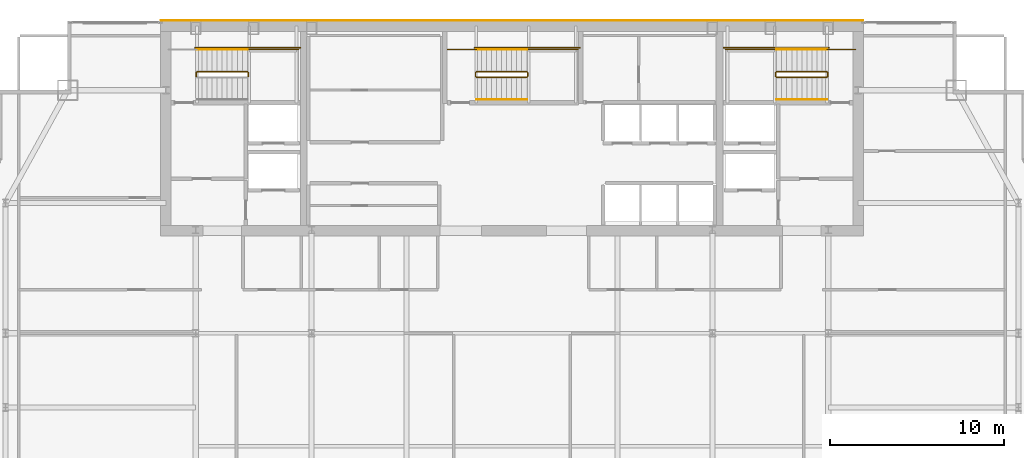
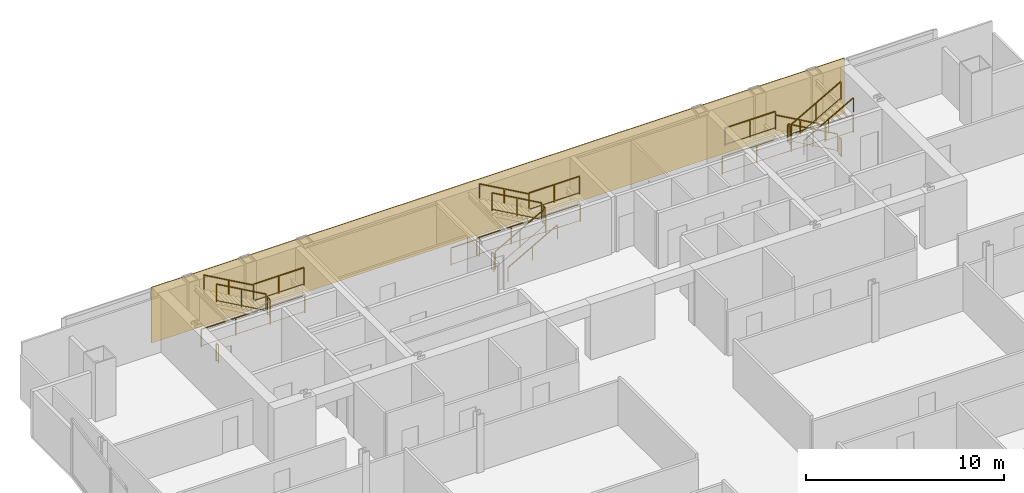
# One storey, part 32 of 32: 24 railings, 1 covering.
"""IFC4 building model written with IfcOpenShell, lengths in metres."""

import ifcopenshell
import ifcopenshell.guid

model = None  # the IFC model being written
_history = None  # IfcOwnerHistory: only IFC2X3 demands one
_inside = {}  # id of a spatial element -> (the spatial element, [elements in it])
_under = {}  # id of a project, library or spatial element -> (it, [spatial elements below it])
_declared = {}  # id of a project -> (the project, [libraries it declares])
_typed = {}  # id of a type object -> (the type object, [elements of that type])
_made_of = {}  # id of a material, layer set ... -> (it, [elements and type objects made of it])


def new_model(schema):
    """Start an empty IFC model of exactly this schema.

    Asked for "IFC4X3", IfcOpenShell would pick the latest addendum, in which some entities
    have other attributes; the version numbers below select the first issue.
    IFC2X3 requires an IfcOwnerHistory on every rooted entity: one is made here for all.
    """
    global model, _history
    if schema == "IFC4X3":
        model = ifcopenshell.file(schema_version=(4, 3, 0, 0))
    else:
        model = ifcopenshell.file(schema=schema)
    _inside.clear()
    _under.clear()
    _declared.clear()
    _typed.clear()
    _made_of.clear()
    _history = None
    if model.schema == "IFC2X3":
        org = make("IfcOrganization", Name="unknown")
        user = make(
            "IfcPersonAndOrganization",
            ThePerson=make("IfcPerson", FamilyName="unknown"),
            TheOrganization=org,
        )
        app = make(
            "IfcApplication",
            ApplicationDeveloper=org,
            Version="unknown",
            ApplicationFullName="unknown",
            ApplicationIdentifier="unknown",
        )
        _history = make(
            "IfcOwnerHistory",
            OwningUser=user,
            OwningApplication=app,
            ChangeAction="ADDED",
            CreationDate=0,
        )
    return model


def make(cls, **values):
    """One entity of the class cls with the attributes given. An attribute that is None is left unset."""
    return model.create_entity(
        cls, **{name: value for name, value in values.items() if value is not None}
    )


def rooted(cls, **values):
    """An entity with a GlobalId (a new one), such as an element, a storey or a relation."""
    return make(cls, GlobalId=ifcopenshell.guid.new(), OwnerHistory=_history, **values)


def si_unit(unit_type, name, prefix=None):
    """IfcSIUnit, for example si_unit("LENGTHUNIT", "METRE", prefix="MILLI")."""
    return make("IfcSIUnit", UnitType=unit_type, Prefix=prefix, Name=name)


def assignment(units):
    """IfcUnitAssignment: the units of a project."""
    return None if units is None else make("IfcUnitAssignment", Units=units)


def point(xyz):
    """IfcCartesianPoint."""
    return None if xyz is None else make("IfcCartesianPoint", Coordinates=xyz)


def direction(xyz):
    """IfcDirection."""
    return None if xyz is None else make("IfcDirection", DirectionRatios=xyz)


def frame(location, z_axis=None, x_axis=None):
    """IfcAxis2Placement3D, a coordinate frame: its origin and axes. An axis left out is left unset."""
    return make(
        "IfcAxis2Placement3D",
        Location=point(location),
        Axis=direction(z_axis),
        RefDirection=direction(x_axis),
    )


def frame_2d(location, x_axis=None):
    """IfcAxis2Placement2D, a coordinate frame in the plane: its origin and x axis."""
    return make(
        "IfcAxis2Placement2D", Location=point(location), RefDirection=direction(x_axis)
    )


def origin():
    """The frame at (0, 0, 0) with its axes left unset."""
    return frame((0.0, 0.0, 0.0))


def origin_2d():
    """The frame at (0, 0) in the plane with its x axis left unset."""
    return frame_2d((0.0, 0.0))


def place(relative_to, where):
    """IfcLocalPlacement: puts the frame where relative to a parent placement (None: the world)."""
    return make(
        "IfcLocalPlacement", PlacementRelTo=relative_to, RelativePlacement=where
    )


def context(
    kind, dimensions, precision=None, world=None, true_north=None, identifier=None
):
    """IfcGeometricRepresentationContext, for example the 3D "Model" context."""
    return make(
        "IfcGeometricRepresentationContext",
        ContextIdentifier=identifier,
        ContextType=kind,
        CoordinateSpaceDimension=dimensions,
        Precision=precision,
        WorldCoordinateSystem=world,
        TrueNorth=true_north,
    )


def subcontext(parent, identifier, kind, view, scale=None):
    """IfcGeometricRepresentationSubContext, for example "Body" below "Model"."""
    return make(
        "IfcGeometricRepresentationSubContext",
        ContextIdentifier=identifier,
        ContextType=kind,
        ParentContext=parent,
        TargetScale=scale,
        TargetView=view,
    )


def project(units=None, contexts=None):
    """IfcProject with its units and contexts."""
    return rooted(
        "IfcProject",
        Name="project",
        RepresentationContexts=contexts,
        UnitsInContext=assignment(units),
    )


def spatial(cls, under=None, at=None, **own):
    """A site, building, storey or space (cls), placed at a placement, below another one or the project."""
    s = rooted(cls, ObjectPlacement=at, **own)
    if under is not None:
        _under.setdefault(under.id(), (under, []))[1].append(s)
    return s


def polyline(points):
    """IfcPolyline through the points."""
    return make("IfcPolyline", Points=[point(p) for p in points])


def profile(cls, at=None, kind="AREA", **sizes):
    """A parametric profile (cls). Its sizes go by their IFC names, for example OverallWidth=200.0."""
    return make(cls, ProfileType=kind, Position=at, **sizes)


def rectangle(**sizes):
    """IfcRectangleProfileDef."""
    return profile("IfcRectangleProfileDef", **sizes)


def outline(outer, holes=None, kind="AREA"):
    """IfcArbitraryClosedProfileDef: a profile drawn as a closed curve; with holes, ...WithVoids."""
    if holes is None:
        return make("IfcArbitraryClosedProfileDef", ProfileType=kind, OuterCurve=outer)
    return make(
        "IfcArbitraryProfileDefWithVoids",
        ProfileType=kind,
        OuterCurve=outer,
        InnerCurves=holes,
    )


def extrude(swept, where, along, depth):
    """IfcExtrudedAreaSolid: the profile swept, set in the frame where, extruded along a direction by depth."""
    return make(
        "IfcExtrudedAreaSolid",
        SweptArea=swept,
        Position=where,
        ExtrudedDirection=direction(along),
        Depth=depth,
    )


def shape(context_of_items, identifier, shape_type, items):
    """IfcShapeRepresentation: the items that make up one representation, for example the "Body"."""
    return make(
        "IfcShapeRepresentation",
        ContextOfItems=context_of_items,
        RepresentationIdentifier=identifier,
        RepresentationType=shape_type,
        Items=items,
    )


def material(Name=None, Category=None):
    """IfcMaterial."""
    return make("IfcMaterial", Name=Name, Category=Category)


def layer(
    of_material, thickness, ventilated=None, Name=None, Category=None, Priority=None
):
    """IfcMaterialLayer: one layer of a wall or slab, of a material (None: an air gap)."""
    return make(
        "IfcMaterialLayer",
        Material=of_material,
        LayerThickness=thickness,
        IsVentilated=ventilated,
        Name=Name,
        Category=Category,
        Priority=Priority,
    )


def layer_set(layers, Name=None):
    """IfcMaterialLayerSet."""
    return make("IfcMaterialLayerSet", MaterialLayers=layers, LayerSetName=Name)


def made_of(thing, what):
    """Note that an element or type object is made of a material, layer set ...; save() writes the relation."""
    if what is not None:
        _made_of.setdefault(what.id(), (what, []))[1].append(thing)
    return thing


def type_object(cls, material=None, **own):
    """A type object (cls), such as IfcWallType, which elements share."""
    return made_of(rooted(cls, **own), material)


def element(
    cls,
    number,
    at=None,
    inside=None,
    cuts=None,
    type_object=None,
    material=None,
    context=None,
    identifier="Body",
    shape_type=None,
    held_by="IfcProductDefinitionShape",
    body=None,
    shapes=None,
    **own,
):
    """One element of the class cls, such as IfcWall. Its Tag is "e" and its number.

    at: its placement. inside: the storey or other place that contains it. cuts: it is an
    opening in that element (IfcRelVoidsElement). A single representation is given by context,
    identifier, shape_type and body (its items); several are given by shapes. held_by: the class
    of the entity that holds the representations. save() writes the other relations.
    """
    e = rooted(cls, Tag="e%d" % number, ObjectPlacement=at, **own)
    if body is not None:
        shapes = [shape(context, identifier, shape_type, body)]
    if shapes is not None:
        e.Representation = make(held_by, Representations=shapes)
    if inside is not None:
        _inside.setdefault(inside.id(), (inside, []))[1].append(e)
    if cuts is not None:
        rooted(
            "IfcRelVoidsElement", RelatingBuildingElement=cuts, RelatedOpeningElement=e
        )
    if type_object is not None:
        _typed.setdefault(type_object.id(), (type_object, []))[1].append(e)
    return made_of(e, material)


def aggregate(whole, parts):
    """IfcRelAggregates: a whole, such as a stair, and the parts it consists of."""
    return rooted("IfcRelAggregates", RelatingObject=whole, RelatedObjects=parts)


def save(model, path):
    """Write the relations noted so far, then the file.

    IfcRelAggregates (storeys below a building ...), IfcRelContainedInSpatialStructure (elements
    in a storey), IfcRelDefinesByType, IfcRelAssociatesMaterial and IfcRelDeclares: one each for
    every whole, place, type object, material and project.
    """
    for whole, parts in _under.values():
        aggregate(whole, parts)
    for where, things in _inside.values():
        rooted(
            "IfcRelContainedInSpatialStructure",
            RelatedElements=things,
            RelatingStructure=where,
        )
    for kind, things in _typed.values():
        rooted("IfcRelDefinesByType", RelatedObjects=things, RelatingType=kind)
    for what, things in _made_of.values():
        rooted("IfcRelAssociatesMaterial", RelatedObjects=things, RelatingMaterial=what)
    for by, libraries in _declared.values():
        rooted("IfcRelDeclares", RelatingContext=by, RelatedDefinitions=libraries)
    model.write(path)


model = new_model("IFC4")

# Units and contexts
model_context = context("Model", 3, precision=1e-05, world=origin(), true_north=direction((0.0, 1.0)))
body_context = subcontext(model_context, "Body", "Model", "MODEL_VIEW")
ifc_project = project(units=[si_unit("LENGTHUNIT", "METRE"), si_unit("AREAUNIT", "SQUARE_METRE"), si_unit("VOLUMEUNIT", "CUBIC_METRE"), si_unit("PLANEANGLEUNIT", "RADIAN"), si_unit("MASSUNIT", "GRAM", prefix="KILO")], contexts=[model_context])

# Site, building, storey
site_placement = place(None, origin())
site = spatial("IfcSite", under=ifc_project, at=site_placement, CompositionType="ELEMENT")
building_placement = place(site_placement, origin())
building = spatial("IfcBuilding", under=site, at=building_placement, Name="Khoronbel Lancet Exchange", CompositionType="ELEMENT")
storey_placement = place(building_placement, frame((0.0, 0.0, 192.199951171875)))
storey = spatial("IfcBuildingStorey", under=building, at=storey_placement, Name="L48", CompositionType="ELEMENT", Elevation=192.199951171875)

# Covering
ifc_material_1 = material(Name="Honed Egyptian Limestone & Bronze Rainscreen", Category="masonry")
ifc_layer = layer(ifc_material_1, 0.050048828125, Name="Honed Egyptian Limestone & Bronze Rainscreen")
ifc_layer_set = layer_set([ifc_layer], Name="Honed Egyptian Limestone & Bronze Rainscreen")
covering_type = type_object("IfcCoveringType", Name="COV-CLAD1", PredefinedType="CLADDING", material=ifc_layer_set)
covering_placement = place(storey_placement, origin())
element("IfcCovering", 1, at=covering_placement, inside=storey, type_object=covering_type, Name="Level L48 north rear-core stone and bronze rainscreen cladding", PredefinedType="CLADDING", context=body_context, shape_type="SweptSolid", body=[
    extrude(outline(polyline([(16.199951171875, 53.699951171875), (56.699951171875, 53.699951171875), (56.699951171875, 53.75), (16.199951171875, 53.75), (16.199951171875, 53.699951171875)])), origin(), (0.0, 0.0, 1.0), 3.43994140625),
])

# Railings
ifc_material_2 = material(Name="Painted Steel Balustrade", Category="steel")
railing_type_1 = type_object("IfcRailingType", Name="RL-STG110", PredefinedType="GUARDRAIL", material=ifc_material_2)
railing_1_placement = place(storey_placement, frame((21.25, 50.5, 1.800048828125)))
element("IfcRailing", 2, at=railing_1_placement, inside=storey, type_object=railing_type_1, Name="L48 ST1 stair guard 2", PredefinedType="GUARDRAIL", context=body_context, shape_type="SweptSolid", body=[
    extrude(rectangle(XDim=0.048095703125, YDim=0.048095703125, at=origin_2d()), frame((0.0, 0.0, 1.09619140625), z_axis=(0.0, 1.0, 0.0), x_axis=(-1.0, 0.0, 0.0)), (0.0, 0.0, 1.0), 0.219970703125),
    extrude(rectangle(XDim=0.02392578125, YDim=0.02392578125, at=origin_2d()), frame((0.0, 0.0, 0.080078125), z_axis=(0.0, 1.0, 0.0), x_axis=(-1.0, 0.0, 0.0)), (0.0, 0.0, 1.0), 0.219970703125),
    extrude(rectangle(XDim=0.0419921875, YDim=0.0419921875, at=origin_2d()), origin(), (0.0, 0.0, 1.0), 1.072021484375),
    extrude(rectangle(XDim=0.0419921875, YDim=0.0419921875, at=origin_2d()), frame((0.0, 0.219970703125, 0.0)), (0.0, 0.0, 1.0), 1.072021484375),
])
railing_2_placement = place(storey_placement, frame((21.199951171875, 52.050048828125, 1.800048828125)))
element("IfcRailing", 3, at=railing_2_placement, inside=storey, type_object=railing_type_1, Name="L48 ST1 stair guard 3", PredefinedType="GUARDRAIL", context=body_context, shape_type="SweptSolid", body=[
    extrude(rectangle(XDim=0.048095703125, YDim=0.048095703125, at=origin_2d()), frame((0.0, 0.0, 1.09619140625), z_axis=(1.0, 0.0, 0.0), x_axis=(0.0, 1.0, 0.0)), (0.0, 0.0, 1.0), 2.949951171875),
    extrude(rectangle(XDim=0.02392578125, YDim=0.02392578125, at=origin_2d()), frame((0.0, 0.0, 0.080078125), z_axis=(1.0, 0.0, 0.0), x_axis=(0.0, 1.0, 0.0)), (0.0, 0.0, 1.0), 2.949951171875),
    extrude(rectangle(XDim=0.0419921875, YDim=0.0419921875, at=origin_2d()), origin(), (0.0, 0.0, 1.0), 1.072021484375),
    extrude(rectangle(XDim=0.0419921875, YDim=0.0419921875, at=origin_2d()), frame((1.47509765625, 0.0, 0.0)), (0.0, 0.0, 1.0), 1.072021484375),
    extrude(rectangle(XDim=0.0419921875, YDim=0.0419921875, at=origin_2d()), frame((2.949951171875, 0.0, 0.0)), (0.0, 0.0, 1.0), 1.072021484375),
])
railing_3_placement = place(storey_placement, frame((21.199951171875, 50.77001953125, 1.963623046875)))
element("IfcRailing", 4, at=railing_3_placement, inside=storey, type_object=railing_type_1, Name="L48 ST1 stair guard 4", PredefinedType="GUARDRAIL", context=body_context, shape_type="SweptSolid", body=[
    extrude(rectangle(XDim=0.048095703125, YDim=0.048095703125, at=origin_2d()), frame((0.0, 0.0, 1.09619140625), z_axis=(-0.870897200241, 0.0, 0.491465224214), x_axis=(0.0, -1.0, 0.0)), (0.0, 0.0, 1.0), 3.329833984375),
    extrude(rectangle(XDim=0.02392578125, YDim=0.02392578125, at=origin_2d()), frame((0.0, 0.0, 0.080078125), z_axis=(-0.870897200241, 0.0, 0.491465224214), x_axis=(0.0, -1.0, 0.0)), (0.0, 0.0, 1.0), 3.329833984375),
    extrude(rectangle(XDim=0.0419921875, YDim=0.0419921875, at=origin_2d()), origin(), (0.0, 0.0, 1.0), 1.072021484375),
    extrude(rectangle(XDim=0.0419921875, YDim=0.0419921875, at=origin_2d()), frame((-1.449951171875, 0.0, 0.818359375)), (0.0, 0.0, 1.0), 1.072021484375),
    extrude(rectangle(XDim=0.0419921875, YDim=0.0419921875, at=origin_2d()), frame((-2.89990234375, 0.0, 1.636474609375)), (0.0, 0.0, 1.0), 1.072021484375),
])
railing_4_placement = place(storey_placement, frame((18.25, 50.5, 0.0)))
element("IfcRailing", 5, at=railing_4_placement, inside=storey, type_object=railing_type_1, Name="L48 ST1 stair guard 5", PredefinedType="GUARDRAIL", context=body_context, shape_type="SweptSolid", body=[
    extrude(rectangle(XDim=0.048095703125, YDim=0.048095703125, at=origin_2d()), frame((0.0, 0.0, 1.09619140625), z_axis=(0.0, 1.0, 0.0), x_axis=(-1.0, 0.0, 0.0)), (0.0, 0.0, 1.0), 0.219970703125),
    extrude(rectangle(XDim=0.02392578125, YDim=0.02392578125, at=origin_2d()), frame((0.0, 0.0, 0.080078125), z_axis=(0.0, 1.0, 0.0), x_axis=(-1.0, 0.0, 0.0)), (0.0, 0.0, 1.0), 0.219970703125),
    extrude(rectangle(XDim=0.0419921875, YDim=0.0419921875, at=origin_2d()), origin(), (0.0, 0.0, 1.0), 1.072021484375),
    extrude(rectangle(XDim=0.0419921875, YDim=0.0419921875, at=origin_2d()), frame((0.0, 0.219970703125, 0.0)), (0.0, 0.0, 1.0), 1.072021484375),
])
railing_5_placement = place(storey_placement, frame((18.199951171875, 52.14990234375, 0.0)))
element("IfcRailing", 6, at=railing_5_placement, inside=storey, type_object=railing_type_1, Name="L48 ST1 stair guard 7", PredefinedType="GUARDRAIL", context=body_context, shape_type="SweptSolid", body=[
    extrude(rectangle(XDim=0.048095703125, YDim=0.048095703125, at=origin_2d()), frame((0.0, 0.0, 1.09619140625), z_axis=(1.0, 0.0, 0.0), x_axis=(0.0, 1.0, 0.0)), (0.0, 0.0, 1.0), 6.050048828125),
    extrude(rectangle(XDim=0.02392578125, YDim=0.02392578125, at=origin_2d()), frame((0.0, 0.0, 0.080078125), z_axis=(1.0, 0.0, 0.0), x_axis=(0.0, 1.0, 0.0)), (0.0, 0.0, 1.0), 6.050048828125),
    extrude(rectangle(XDim=0.0419921875, YDim=0.0419921875, at=origin_2d()), origin(), (0.0, 0.0, 1.0), 1.072021484375),
    extrude(rectangle(XDim=0.0419921875, YDim=0.0419921875, at=origin_2d()), frame((2.0166015625, 0.0, 0.0)), (0.0, 0.0, 1.0), 1.072021484375),
    extrude(rectangle(XDim=0.0419921875, YDim=0.0419921875, at=origin_2d()), frame((4.033447265625, 0.0, 0.0)), (0.0, 0.0, 1.0), 1.072021484375),
    extrude(rectangle(XDim=0.0419921875, YDim=0.0419921875, at=origin_2d()), frame((6.050048828125, 0.0, 0.0)), (0.0, 0.0, 1.0), 1.072021484375),
])
railing_6_placement = place(storey_placement, frame((54.60009765625, 50.77001953125, 0.16357421875)))
element("IfcRailing", 7, at=railing_6_placement, inside=storey, type_object=railing_type_1, Name="L48 ST2 stair guard 1", PredefinedType="GUARDRAIL", context=body_context, shape_type="SweptSolid", body=[
    extrude(rectangle(XDim=0.048095703125, YDim=0.048095703125, at=origin_2d()), frame((0.0, 0.0, 1.09619140625), z_axis=(-0.870914908162, 0.0, 0.491433843708), x_axis=(0.0, -1.0, 0.0)), (0.0, 0.0, 1.0), 3.330078125),
    extrude(rectangle(XDim=0.02392578125, YDim=0.02392578125, at=origin_2d()), frame((0.0, 0.0, 0.080078125), z_axis=(-0.870914908162, 0.0, 0.491433843708), x_axis=(0.0, -1.0, 0.0)), (0.0, 0.0, 1.0), 3.330078125),
    extrude(rectangle(XDim=0.0419921875, YDim=0.0419921875, at=origin_2d()), origin(), (0.0, 0.0, 1.0), 1.072021484375),
    extrude(rectangle(XDim=0.0419921875, YDim=0.0419921875, at=origin_2d()), frame((-1.4501953125, 0.0, 0.818359375)), (0.0, 0.0, 1.0), 1.072021484375),
    extrude(rectangle(XDim=0.0419921875, YDim=0.0419921875, at=origin_2d()), frame((-2.900146484375, 0.0, 1.636474609375)), (0.0, 0.0, 1.0), 1.072021484375),
])
railing_7_placement = place(storey_placement, frame((51.64990234375, 50.719970703125, 1.800048828125)))
element("IfcRailing", 8, at=railing_7_placement, inside=storey, type_object=railing_type_1, Name="L48 ST2 stair guard 2", PredefinedType="GUARDRAIL", context=body_context, shape_type="SweptSolid", body=[
    extrude(rectangle(XDim=0.048095703125, YDim=0.048095703125, at=origin_2d()), frame((0.0, 0.0, 1.09619140625), z_axis=(0.0, -1.0, 0.0), x_axis=(1.0, 0.0, 0.0)), (0.0, 0.0, 1.0), 0.219970703125),
    extrude(rectangle(XDim=0.02392578125, YDim=0.02392578125, at=origin_2d()), frame((0.0, 0.0, 0.080078125), z_axis=(0.0, -1.0, 0.0), x_axis=(1.0, 0.0, 0.0)), (0.0, 0.0, 1.0), 0.219970703125),
    extrude(rectangle(XDim=0.0419921875, YDim=0.0419921875, at=origin_2d()), origin(), (0.0, 0.0, 1.0), 1.072021484375),
    extrude(rectangle(XDim=0.0419921875, YDim=0.0419921875, at=origin_2d()), frame((0.0, -0.219970703125, 0.0)), (0.0, 0.0, 1.0), 1.072021484375),
])
railing_8_placement = place(storey_placement, frame((51.699951171875, 52.050048828125, 1.800048828125)))
element("IfcRailing", 9, at=railing_8_placement, inside=storey, type_object=railing_type_1, Name="L48 ST2 stair guard 3", PredefinedType="GUARDRAIL", context=body_context, shape_type="SweptSolid", body=[
    extrude(rectangle(XDim=0.048095703125, YDim=0.048095703125, at=origin_2d()), frame((0.0, 0.0, 1.09619140625), z_axis=(-1.0, 0.0, 0.0), x_axis=(0.0, -1.0, 0.0)), (0.0, 0.0, 1.0), 2.949951171875),
    extrude(rectangle(XDim=0.02392578125, YDim=0.02392578125, at=origin_2d()), frame((0.0, 0.0, 0.080078125), z_axis=(-1.0, 0.0, 0.0), x_axis=(0.0, -1.0, 0.0)), (0.0, 0.0, 1.0), 2.949951171875),
    extrude(rectangle(XDim=0.0419921875, YDim=0.0419921875, at=origin_2d()), origin(), (0.0, 0.0, 1.0), 1.072021484375),
    extrude(rectangle(XDim=0.0419921875, YDim=0.0419921875, at=origin_2d()), frame((-1.47509765625, 0.0, 0.0)), (0.0, 0.0, 1.0), 1.072021484375),
    extrude(rectangle(XDim=0.0419921875, YDim=0.0419921875, at=origin_2d()), frame((-2.949951171875, 0.0, 0.0)), (0.0, 0.0, 1.0), 1.072021484375),
])
railing_9_placement = place(storey_placement, frame((51.699951171875, 50.449951171875, 1.963623046875)))
element("IfcRailing", 10, at=railing_9_placement, inside=storey, type_object=railing_type_1, Name="L48 ST2 stair guard 4", PredefinedType="GUARDRAIL", context=body_context, shape_type="SweptSolid", body=[
    extrude(rectangle(XDim=0.048095703125, YDim=0.048095703125, at=origin_2d()), frame((0.0, 0.0, 1.09619140625), z_axis=(0.870914908162, 0.0, 0.491433843708), x_axis=(0.0, 1.0, 0.0)), (0.0, 0.0, 1.0), 3.330078125),
    extrude(rectangle(XDim=0.02392578125, YDim=0.02392578125, at=origin_2d()), frame((0.0, 0.0, 0.080078125), z_axis=(0.870914908162, 0.0, 0.491433843708), x_axis=(0.0, 1.0, 0.0)), (0.0, 0.0, 1.0), 3.330078125),
    extrude(rectangle(XDim=0.0419921875, YDim=0.0419921875, at=origin_2d()), origin(), (0.0, 0.0, 1.0), 1.072021484375),
    extrude(rectangle(XDim=0.0419921875, YDim=0.0419921875, at=origin_2d()), frame((1.4501953125, 0.0, 0.818359375)), (0.0, 0.0, 1.0), 1.072021484375),
    extrude(rectangle(XDim=0.0419921875, YDim=0.0419921875, at=origin_2d()), frame((2.900146484375, 0.0, 1.636474609375)), (0.0, 0.0, 1.0), 1.072021484375),
])
railing_10_placement = place(storey_placement, frame((54.64990234375, 50.719970703125, 0.0)))
element("IfcRailing", 11, at=railing_10_placement, inside=storey, type_object=railing_type_1, Name="L48 ST2 stair guard 5", PredefinedType="GUARDRAIL", context=body_context, shape_type="SweptSolid", body=[
    extrude(rectangle(XDim=0.048095703125, YDim=0.048095703125, at=origin_2d()), frame((0.0, 0.0, 1.09619140625), z_axis=(0.0, -1.0, 0.0), x_axis=(1.0, 0.0, 0.0)), (0.0, 0.0, 1.0), 0.219970703125),
    extrude(rectangle(XDim=0.02392578125, YDim=0.02392578125, at=origin_2d()), frame((0.0, 0.0, 0.080078125), z_axis=(0.0, -1.0, 0.0), x_axis=(1.0, 0.0, 0.0)), (0.0, 0.0, 1.0), 0.219970703125),
    extrude(rectangle(XDim=0.0419921875, YDim=0.0419921875, at=origin_2d()), origin(), (0.0, 0.0, 1.0), 1.072021484375),
    extrude(rectangle(XDim=0.0419921875, YDim=0.0419921875, at=origin_2d()), frame((0.0, -0.219970703125, 0.0)), (0.0, 0.0, 1.0), 1.072021484375),
])
railing_11_placement = place(storey_placement, frame((56.25, 52.050048828125, 0.0)))
element("IfcRailing", 12, at=railing_11_placement, inside=storey, type_object=railing_type_1, Name="L48 ST2 stair guard 6", PredefinedType="GUARDRAIL", context=body_context, shape_type="SweptSolid", body=[
    extrude(rectangle(XDim=0.048095703125, YDim=0.048095703125, at=origin_2d()), frame((0.0, 0.0, 1.09619140625), z_axis=(-1.0, 0.0, 0.0), x_axis=(0.0, -1.0, 0.0)), (0.0, 0.0, 1.0), 1.64990234375),
    extrude(rectangle(XDim=0.02392578125, YDim=0.02392578125, at=origin_2d()), frame((0.0, 0.0, 0.080078125), z_axis=(-1.0, 0.0, 0.0), x_axis=(0.0, -1.0, 0.0)), (0.0, 0.0, 1.0), 1.64990234375),
    extrude(rectangle(XDim=0.0419921875, YDim=0.0419921875, at=origin_2d()), origin(), (0.0, 0.0, 1.0), 1.072021484375),
    extrude(rectangle(XDim=0.0419921875, YDim=0.0419921875, at=origin_2d()), frame((-1.64990234375, 0.0, 0.0)), (0.0, 0.0, 1.0), 1.072021484375),
])
railing_12_placement = place(storey_placement, frame((54.699951171875, 52.14990234375, 0.0)))
element("IfcRailing", 13, at=railing_12_placement, inside=storey, type_object=railing_type_1, Name="L48 ST2 stair guard 7", PredefinedType="GUARDRAIL", context=body_context, shape_type="SweptSolid", body=[
    extrude(rectangle(XDim=0.048095703125, YDim=0.048095703125, at=origin_2d()), frame((0.0, 0.0, 1.09619140625), z_axis=(-1.0, 0.0, 0.0), x_axis=(0.0, -1.0, 0.0)), (0.0, 0.0, 1.0), 6.050048828125),
    extrude(rectangle(XDim=0.02392578125, YDim=0.02392578125, at=origin_2d()), frame((0.0, 0.0, 0.080078125), z_axis=(-1.0, 0.0, 0.0), x_axis=(0.0, -1.0, 0.0)), (0.0, 0.0, 1.0), 6.050048828125),
    extrude(rectangle(XDim=0.0419921875, YDim=0.0419921875, at=origin_2d()), origin(), (0.0, 0.0, 1.0), 1.072021484375),
    extrude(rectangle(XDim=0.0419921875, YDim=0.0419921875, at=origin_2d()), frame((-2.0166015625, 0.0, 0.0)), (0.0, 0.0, 1.0), 1.072021484375),
    extrude(rectangle(XDim=0.0419921875, YDim=0.0419921875, at=origin_2d()), frame((-4.033447265625, 0.0, 0.0)), (0.0, 0.0, 1.0), 1.072021484375),
    extrude(rectangle(XDim=0.0419921875, YDim=0.0419921875, at=origin_2d()), frame((-6.050048828125, 0.0, 0.0)), (0.0, 0.0, 1.0), 1.072021484375),
])
railing_13_placement = place(storey_placement, frame((34.39990234375, 50.449951171875, 0.16357421875)))
element("IfcRailing", 14, at=railing_13_placement, inside=storey, type_object=railing_type_1, Name="L48 ST3 stair guard 1", PredefinedType="GUARDRAIL", context=body_context, shape_type="SweptSolid", body=[
    extrude(rectangle(XDim=0.048095703125, YDim=0.048095703125, at=origin_2d()), frame((0.0, 0.0, 1.09619140625), z_axis=(0.870914908162, 0.0, 0.491433843708), x_axis=(0.0, 1.0, 0.0)), (0.0, 0.0, 1.0), 3.330078125),
    extrude(rectangle(XDim=0.02392578125, YDim=0.02392578125, at=origin_2d()), frame((0.0, 0.0, 0.080078125), z_axis=(0.870914908162, 0.0, 0.491433843708), x_axis=(0.0, 1.0, 0.0)), (0.0, 0.0, 1.0), 3.330078125),
    extrude(rectangle(XDim=0.0419921875, YDim=0.0419921875, at=origin_2d()), origin(), (0.0, 0.0, 1.0), 1.072021484375),
    extrude(rectangle(XDim=0.0419921875, YDim=0.0419921875, at=origin_2d()), frame((1.4501953125, 0.0, 0.818359375)), (0.0, 0.0, 1.0), 1.072021484375),
    extrude(rectangle(XDim=0.0419921875, YDim=0.0419921875, at=origin_2d()), frame((2.900146484375, 0.0, 1.636474609375)), (0.0, 0.0, 1.0), 1.072021484375),
])
railing_14_placement = place(storey_placement, frame((37.35009765625, 50.5, 1.800048828125)))
element("IfcRailing", 15, at=railing_14_placement, inside=storey, type_object=railing_type_1, Name="L48 ST3 stair guard 2", PredefinedType="GUARDRAIL", context=body_context, shape_type="SweptSolid", body=[
    extrude(rectangle(XDim=0.048095703125, YDim=0.048095703125, at=origin_2d()), frame((0.0, 0.0, 1.09619140625), z_axis=(0.0, 1.0, 0.0), x_axis=(-1.0, 0.0, 0.0)), (0.0, 0.0, 1.0), 0.219970703125),
    extrude(rectangle(XDim=0.02392578125, YDim=0.02392578125, at=origin_2d()), frame((0.0, 0.0, 0.080078125), z_axis=(0.0, 1.0, 0.0), x_axis=(-1.0, 0.0, 0.0)), (0.0, 0.0, 1.0), 0.219970703125),
    extrude(rectangle(XDim=0.0419921875, YDim=0.0419921875, at=origin_2d()), origin(), (0.0, 0.0, 1.0), 1.072021484375),
    extrude(rectangle(XDim=0.0419921875, YDim=0.0419921875, at=origin_2d()), frame((0.0, 0.219970703125, 0.0)), (0.0, 0.0, 1.0), 1.072021484375),
])
railing_15_placement = place(storey_placement, frame((37.300048828125, 52.050048828125, 1.800048828125)))
element("IfcRailing", 16, at=railing_15_placement, inside=storey, type_object=railing_type_1, Name="L48 ST3 stair guard 3", PredefinedType="GUARDRAIL", context=body_context, shape_type="SweptSolid", body=[
    extrude(rectangle(XDim=0.048095703125, YDim=0.048095703125, at=origin_2d()), frame((0.0, 0.0, 1.09619140625), z_axis=(1.0, 0.0, 0.0), x_axis=(0.0, 1.0, 0.0)), (0.0, 0.0, 1.0), 2.949951171875),
    extrude(rectangle(XDim=0.02392578125, YDim=0.02392578125, at=origin_2d()), frame((0.0, 0.0, 0.080078125), z_axis=(1.0, 0.0, 0.0), x_axis=(0.0, 1.0, 0.0)), (0.0, 0.0, 1.0), 2.949951171875),
    extrude(rectangle(XDim=0.0419921875, YDim=0.0419921875, at=origin_2d()), origin(), (0.0, 0.0, 1.0), 1.072021484375),
    extrude(rectangle(XDim=0.0419921875, YDim=0.0419921875, at=origin_2d()), frame((1.47509765625, 0.0, 0.0)), (0.0, 0.0, 1.0), 1.072021484375),
    extrude(rectangle(XDim=0.0419921875, YDim=0.0419921875, at=origin_2d()), frame((2.949951171875, 0.0, 0.0)), (0.0, 0.0, 1.0), 1.072021484375),
])
railing_16_placement = place(storey_placement, frame((37.300048828125, 50.77001953125, 1.963623046875)))
element("IfcRailing", 17, at=railing_16_placement, inside=storey, type_object=railing_type_1, Name="L48 ST3 stair guard 4", PredefinedType="GUARDRAIL", context=body_context, shape_type="SweptSolid", body=[
    extrude(rectangle(XDim=0.048095703125, YDim=0.048095703125, at=origin_2d()), frame((0.0, 0.0, 1.09619140625), z_axis=(-0.870914908162, 0.0, 0.491433843708), x_axis=(0.0, -1.0, 0.0)), (0.0, 0.0, 1.0), 3.330078125),
    extrude(rectangle(XDim=0.02392578125, YDim=0.02392578125, at=origin_2d()), frame((0.0, 0.0, 0.080078125), z_axis=(-0.870914908162, 0.0, 0.491433843708), x_axis=(0.0, -1.0, 0.0)), (0.0, 0.0, 1.0), 3.330078125),
    extrude(rectangle(XDim=0.0419921875, YDim=0.0419921875, at=origin_2d()), origin(), (0.0, 0.0, 1.0), 1.072021484375),
    extrude(rectangle(XDim=0.0419921875, YDim=0.0419921875, at=origin_2d()), frame((-1.4501953125, 0.0, 0.818359375)), (0.0, 0.0, 1.0), 1.072021484375),
    extrude(rectangle(XDim=0.0419921875, YDim=0.0419921875, at=origin_2d()), frame((-2.900146484375, 0.0, 1.636474609375)), (0.0, 0.0, 1.0), 1.072021484375),
])
railing_17_placement = place(storey_placement, frame((34.35009765625, 50.5, 0.0)))
element("IfcRailing", 18, at=railing_17_placement, inside=storey, type_object=railing_type_1, Name="L48 ST3 stair guard 5", PredefinedType="GUARDRAIL", context=body_context, shape_type="SweptSolid", body=[
    extrude(rectangle(XDim=0.048095703125, YDim=0.048095703125, at=origin_2d()), frame((0.0, 0.0, 1.09619140625), z_axis=(0.0, 1.0, 0.0), x_axis=(-1.0, 0.0, 0.0)), (0.0, 0.0, 1.0), 0.219970703125),
    extrude(rectangle(XDim=0.02392578125, YDim=0.02392578125, at=origin_2d()), frame((0.0, 0.0, 0.080078125), z_axis=(0.0, 1.0, 0.0), x_axis=(-1.0, 0.0, 0.0)), (0.0, 0.0, 1.0), 0.219970703125),
    extrude(rectangle(XDim=0.0419921875, YDim=0.0419921875, at=origin_2d()), origin(), (0.0, 0.0, 1.0), 1.072021484375),
    extrude(rectangle(XDim=0.0419921875, YDim=0.0419921875, at=origin_2d()), frame((0.0, 0.219970703125, 0.0)), (0.0, 0.0, 1.0), 1.072021484375),
])
railing_18_placement = place(storey_placement, frame((32.75, 52.050048828125, 0.0)))
element("IfcRailing", 19, at=railing_18_placement, inside=storey, type_object=railing_type_1, Name="L48 ST3 stair guard 6", PredefinedType="GUARDRAIL", context=body_context, shape_type="SweptSolid", body=[
    extrude(rectangle(XDim=0.048095703125, YDim=0.048095703125, at=origin_2d()), frame((0.0, 0.0, 1.09619140625), z_axis=(1.0, 0.0, 0.0), x_axis=(0.0, 1.0, 0.0)), (0.0, 0.0, 1.0), 1.64990234375),
    extrude(rectangle(XDim=0.02392578125, YDim=0.02392578125, at=origin_2d()), frame((0.0, 0.0, 0.080078125), z_axis=(1.0, 0.0, 0.0), x_axis=(0.0, 1.0, 0.0)), (0.0, 0.0, 1.0), 1.64990234375),
    extrude(rectangle(XDim=0.0419921875, YDim=0.0419921875, at=origin_2d()), origin(), (0.0, 0.0, 1.0), 1.072021484375),
    extrude(rectangle(XDim=0.0419921875, YDim=0.0419921875, at=origin_2d()), frame((1.64990234375, 0.0, 0.0)), (0.0, 0.0, 1.0), 1.072021484375),
])
railing_19_placement = place(storey_placement, frame((34.300048828125, 52.14990234375, 0.0)))
element("IfcRailing", 20, at=railing_19_placement, inside=storey, type_object=railing_type_1, Name="L48 ST3 stair guard 7", PredefinedType="GUARDRAIL", context=body_context, shape_type="SweptSolid", body=[
    extrude(rectangle(XDim=0.048095703125, YDim=0.048095703125, at=origin_2d()), frame((0.0, 0.0, 1.09619140625), z_axis=(1.0, 0.0, 0.0), x_axis=(0.0, 1.0, 0.0)), (0.0, 0.0, 1.0), 6.050048828125),
    extrude(rectangle(XDim=0.02392578125, YDim=0.02392578125, at=origin_2d()), frame((0.0, 0.0, 0.080078125), z_axis=(1.0, 0.0, 0.0), x_axis=(0.0, 1.0, 0.0)), (0.0, 0.0, 1.0), 6.050048828125),
    extrude(rectangle(XDim=0.0419921875, YDim=0.0419921875, at=origin_2d()), origin(), (0.0, 0.0, 1.0), 1.072021484375),
    extrude(rectangle(XDim=0.0419921875, YDim=0.0419921875, at=origin_2d()), frame((2.0166015625, 0.0, 0.0)), (0.0, 0.0, 1.0), 1.072021484375),
    extrude(rectangle(XDim=0.0419921875, YDim=0.0419921875, at=origin_2d()), frame((4.033447265625, 0.0, 0.0)), (0.0, 0.0, 1.0), 1.072021484375),
    extrude(rectangle(XDim=0.0419921875, YDim=0.0419921875, at=origin_2d()), frame((6.050048828125, 0.0, 0.0)), (0.0, 0.0, 1.0), 1.072021484375),
])
ifc_material_3 = material(Name="Brushed Stainless Steel 316", Category="steel")
railing_type_2 = type_object("IfcRailingType", Name="RL-STH92", PredefinedType="HANDRAIL", material=ifc_material_3)
railing_20_placement = place(storey_placement, frame((21.199951171875, 52.050048828125, 1.963623046875)))
element("IfcRailing", 21, at=railing_20_placement, inside=storey, type_object=railing_type_2, Name="L48 ST1 stair handrail 2", PredefinedType="HANDRAIL", context=body_context, shape_type="SweptSolid", body=[
    extrude(rectangle(XDim=0.048095703125, YDim=0.048095703125, at=origin_2d()), frame((0.0, 0.0, 0.8759765625), z_axis=(-0.870897200241, 0.0, 0.491465224214), x_axis=(0.0, -1.0, 0.0)), (0.0, 0.0, 1.0), 3.329833984375),
    extrude(rectangle(XDim=0.0419921875, YDim=0.0419921875, at=origin_2d()), origin(), (0.0, 0.0, 1.0), 0.851806640625),
    extrude(rectangle(XDim=0.0419921875, YDim=0.0419921875, at=origin_2d()), frame((-1.449951171875, 0.0, 0.818359375)), (0.0, 0.0, 1.0), 0.851806640625),
    extrude(rectangle(XDim=0.0419921875, YDim=0.0419921875, at=origin_2d()), frame((-2.89990234375, 0.0, 1.636474609375)), (0.0, 0.0, 1.0), 0.851806640625),
])
railing_21_placement = place(storey_placement, frame((54.60009765625, 52.050048828125, 0.16357421875)))
element("IfcRailing", 22, at=railing_21_placement, inside=storey, type_object=railing_type_2, Name="L48 ST2 stair handrail 1", PredefinedType="HANDRAIL", context=body_context, shape_type="SweptSolid", body=[
    extrude(rectangle(XDim=0.048095703125, YDim=0.048095703125, at=origin_2d()), frame((0.0, 0.0, 0.8759765625), z_axis=(-0.870914908162, 0.0, 0.491433843708), x_axis=(0.0, -1.0, 0.0)), (0.0, 0.0, 1.0), 3.330078125),
    extrude(rectangle(XDim=0.0419921875, YDim=0.0419921875, at=origin_2d()), origin(), (0.0, 0.0, 1.0), 0.851806640625),
    extrude(rectangle(XDim=0.0419921875, YDim=0.0419921875, at=origin_2d()), frame((-1.4501953125, 0.0, 0.818359375)), (0.0, 0.0, 1.0), 0.851806640625),
    extrude(rectangle(XDim=0.0419921875, YDim=0.0419921875, at=origin_2d()), frame((-2.900146484375, 0.0, 1.636474609375)), (0.0, 0.0, 1.0), 0.851806640625),
])
for number, where, name in (
    (23, (51.699951171875, 49.169921875, 1.963623046875), "L48 ST2 stair handrail 2"),
    (24, (34.39990234375, 49.169921875, 0.16357421875), "L48 ST3 stair handrail 1"),
):
    element("IfcRailing", number, at=place(storey_placement, frame(where)), inside=storey, type_object=railing_type_2, Name=name, PredefinedType="HANDRAIL", context=body_context, shape_type="SweptSolid", body=[
        extrude(rectangle(XDim=0.048095703125, YDim=0.048095703125, at=origin_2d()), frame((0.0, 0.0, 0.8759765625), z_axis=(0.870914908162, 0.0, 0.491433843708), x_axis=(0.0, 1.0, 0.0)), (0.0, 0.0, 1.0), 3.330078125),
        extrude(rectangle(XDim=0.0419921875, YDim=0.0419921875, at=origin_2d()), origin(), (0.0, 0.0, 1.0), 0.851806640625),
        extrude(rectangle(XDim=0.0419921875, YDim=0.0419921875, at=origin_2d()), frame((1.4501953125, 0.0, 0.818359375)), (0.0, 0.0, 1.0), 0.851806640625),
        extrude(rectangle(XDim=0.0419921875, YDim=0.0419921875, at=origin_2d()), frame((2.900146484375, 0.0, 1.636474609375)), (0.0, 0.0, 1.0), 0.851806640625),
    ])
railing_22_placement = place(storey_placement, frame((37.300048828125, 52.050048828125, 1.963623046875)))
element("IfcRailing", 25, at=railing_22_placement, inside=storey, type_object=railing_type_2, Name="L48 ST3 stair handrail 2", PredefinedType="HANDRAIL", context=body_context, shape_type="SweptSolid", body=[
    extrude(rectangle(XDim=0.048095703125, YDim=0.048095703125, at=origin_2d()), frame((0.0, 0.0, 0.8759765625), z_axis=(-0.870914908162, 0.0, 0.491433843708), x_axis=(0.0, -1.0, 0.0)), (0.0, 0.0, 1.0), 3.330078125),
    extrude(rectangle(XDim=0.0419921875, YDim=0.0419921875, at=origin_2d()), origin(), (0.0, 0.0, 1.0), 0.851806640625),
    extrude(rectangle(XDim=0.0419921875, YDim=0.0419921875, at=origin_2d()), frame((-1.4501953125, 0.0, 0.818359375)), (0.0, 0.0, 1.0), 0.851806640625),
    extrude(rectangle(XDim=0.0419921875, YDim=0.0419921875, at=origin_2d()), frame((-2.900146484375, 0.0, 1.636474609375)), (0.0, 0.0, 1.0), 0.851806640625),
])

save(model, "model.ifc")
